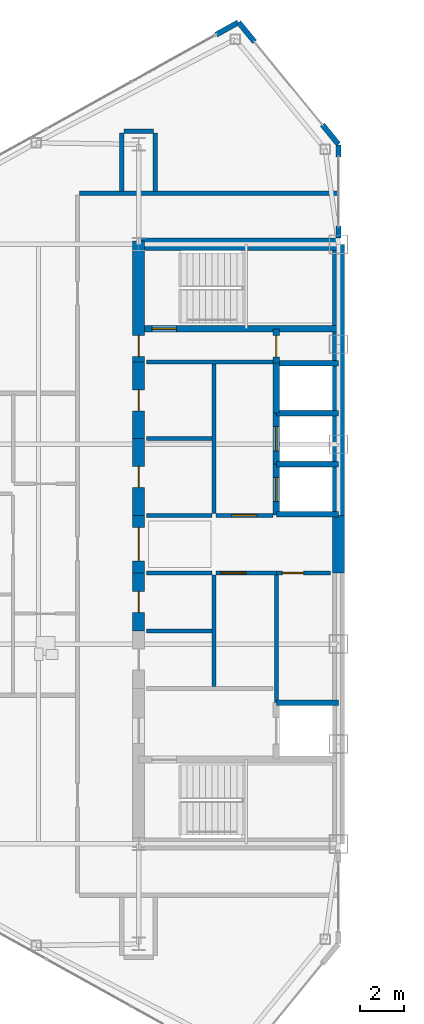
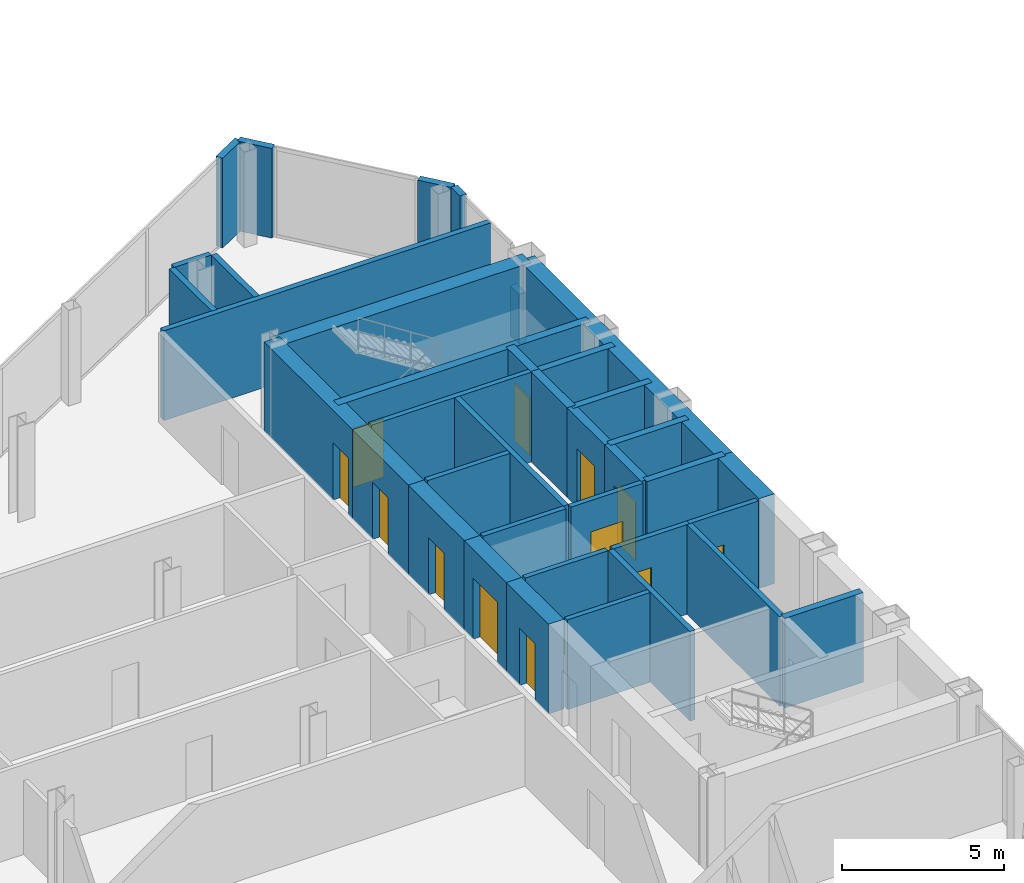
# One storey, part 20 of 26: 38 walls, 12 doors, 12 openings.
"""IFC4 building model written with IfcOpenShell, lengths in metres."""

from ifc_helpers import new_model, si_unit, direction, frame, frame_2d, origin, place, context, subcontext, project, spatial, rectangle, extrude, source, transform, mapped, material, layer, layer_set, type_object, type_shapes, element, fill, save


model = new_model("IFC4")

# Units and contexts
model_context = context("Model", 3, precision=1e-05, world=origin(), true_north=direction((0.0, 1.0)))
body_context = subcontext(model_context, "Body", "Model", "MODEL_VIEW")
ifc_project = project(units=[si_unit("LENGTHUNIT", "METRE"), si_unit("AREAUNIT", "SQUARE_METRE"), si_unit("VOLUMEUNIT", "CUBIC_METRE"), si_unit("PLANEANGLEUNIT", "RADIAN"), si_unit("MASSUNIT", "GRAM", prefix="KILO")], contexts=[model_context])

# Site, building, storey
site_placement = place(None, origin())
site = spatial("IfcSite", under=ifc_project, at=site_placement, CompositionType="ELEMENT")
building_placement = place(site_placement, origin())
building = spatial("IfcBuilding", under=site, at=building_placement, Name="Seokmaru Belvedere", CompositionType="ELEMENT")
storey_placement = place(building_placement, frame((0.0, 0.0, 192.300048828125)))
storey = spatial("IfcBuildingStorey", under=building, at=storey_placement, Name="L51", CompositionType="ELEMENT", Elevation=192.300048828125)

# Walls
ifc_material_1 = material(Name="Fire-Rated Gypsum Shaftwall")
ifc_layer_1 = layer(ifc_material_1, 0.179931640625)
ifc_layer_set_1 = layer_set([ifc_layer_1], Name="Fire-Rated Gypsum Shaftwall")
wall_type_1 = type_object("IfcWallType", Name="Core Service Fire Partition 180", PredefinedType="PARTITIONING", material=ifc_layer_set_1)
wall_1_placement = place(storey_placement, frame((-36.14990234375, 8.199951171875, 0.0), z_axis=(0.0, 0.0, 1.0), x_axis=(1.0, 0.0, 0.0)))
element("IfcWall", 1, at=wall_1_placement, inside=storey, type_object=wall_type_1, Name="L51 West Smokeproof Vestibule Partition", PredefinedType="PARTITIONING", context=body_context, shape_type="SweptSolid", body=[
    extrude(rectangle(XDim=5.699951171875, YDim=0.179931640625, at=frame_2d((2.85009765625, 0.0))), origin(), (0.0, 0.0, 1.0), 3.3798828125),
])
wall_2_placement = place(storey_placement, frame((-33.10009765625, -6.419921875, 0.0), z_axis=(0.0, 0.0, 1.0), x_axis=(0.0, 1.0, 0.0)))
element("IfcWall", 2, at=wall_2_placement, inside=storey, type_object=wall_type_1, Name="L51 West South Core Service Back Wall", PredefinedType="PARTITIONING", context=body_context, shape_type="SweptSolid", body=[
    extrude(rectangle(XDim=5.0400390625, YDim=0.179931640625, at=frame_2d((2.52001953125, 0.0))), origin(), (0.0, 0.0, 1.0), 3.3798828125),
])
wall_3_placement = place(storey_placement, frame((-33.10009765625, 1.3798828125, 0.0), z_axis=(0.0, 0.0, 1.0), x_axis=(0.0, 1.0, 0.0)))
element("IfcWall", 3, at=wall_3_placement, inside=storey, type_object=wall_type_1, Name="L51 West North Core Service Back Wall", PredefinedType="PARTITIONING", context=body_context, shape_type="SweptSolid", body=[
    extrude(rectangle(XDim=6.740234375, YDim=0.179931640625, at=frame_2d((3.3701171875, 0.0))), origin(), (0.0, 0.0, 1.0), 3.3798828125),
])

# Wall, opening, door
wall_4_placement = place(storey_placement, frame((-30.300048828125, -1.300048828125, 0.0), z_axis=(0.0, 0.0, 1.0), x_axis=(1.0, 0.0, 0.0)))
wall_4 = element("IfcWall", 4, at=wall_4_placement, inside=storey, type_object=wall_type_1, Name="L51 West South Parcel Vault Foyer Wall", PredefinedType="PARTITIONING", context=body_context, shape_type="SweptSolid", body=[
    extrude(rectangle(XDim=2.449951171875, YDim=0.179931640625, at=frame_2d((1.22509765625, 0.0))), origin(), (0.0, 0.0, 1.0), 3.3798828125),
])
opening_1_placement = place(wall_4_placement, frame((0.27490234375, 0.0, 0.0)))
opening_1 = element("IfcOpeningElement", 5, at=opening_1_placement, cuts=wall_4, Name="Opening D04", PredefinedType="OPENING", context=body_context, shape_type="SweptSolid", body=[
    extrude(rectangle(XDim=0.949951171875, YDim=2.14990234375, at=frame_2d((0.47509765625, 1.074951171875))), frame((0.0, 0.10009765625, 0.0), z_axis=(0.0, -1.0, 0.0), x_axis=(1.0, 0.0, 0.0)), (0.0, 0.0, 1.0), 0.199951171875),
])
ifc_material_2 = material(Name="Fire-Rated Steel Leaf", Category="steel")
door_type_1 = type_object("IfcDoorType", Name="Core Service Room Fire Door 950x2150", OperationType="NOTDEFINED", PredefinedType="DOOR", material=ifc_material_2)
shared_shape_1 = source(origin(), body_context, "Body", "SweptSolid", [
    extrude(rectangle(XDim=0.949951171875, YDim=2.14990234375, at=frame_2d((0.47509765625, 1.074951171875))), frame((0.0, 0.02490234375, 0.0), z_axis=(0.0, -1.0, 0.0), x_axis=(1.0, 0.0, 0.0)), (0.0, 0.0, 1.0), 0.050048828125),
])
type_shapes(door_type_1, [shared_shape_1])
door_1_placement = place(opening_1_placement, origin())
door_1 = element("IfcDoor", 6, at=door_1_placement, inside=storey, type_object=door_type_1, Name="L51 West South Parcel Vault Door", OperationType="SINGLE_SWING_LEFT", OverallHeight=2.14990234375, OverallWidth=0.949951171875, PredefinedType="DOOR", context=body_context, shape_type="MappedRepresentation", body=[
    mapped(shared_shape_1, transform((0.0, 0.0, 0.0), scale=1.0)),
])
fill(opening_1, door_1)

wall_5_placement = place(storey_placement, frame((-33.02001953125, -1.300048828125, 0.0), z_axis=(0.0, 0.0, 1.0), x_axis=(1.0, 0.0, 0.0)))
wall_5 = element("IfcWall", 7, at=wall_5_placement, inside=storey, type_object=wall_type_1, Name="L51 West South Wine Cellar Foyer Wall", PredefinedType="PARTITIONING", context=body_context, shape_type="SweptSolid", body=[
    extrude(rectangle(XDim=2.719970703125, YDim=0.179931640625, at=frame_2d((1.35986328125, 0.0))), origin(), (0.0, 0.0, 1.0), 3.3798828125),
])
opening_2_placement = place(wall_5_placement, frame((0.2099609375, 0.0, 0.0)))
opening_2 = element("IfcOpeningElement", 8, at=opening_2_placement, cuts=wall_5, Name="Opening D02", PredefinedType="OPENING", context=body_context, shape_type="SweptSolid", body=[
    extrude(rectangle(XDim=1.14990234375, YDim=2.199951171875, at=frame_2d((0.574951171875, 1.10009765625))), frame((0.0, 0.10009765625, 0.0), z_axis=(0.0, -1.0, 0.0), x_axis=(1.0, 0.0, 0.0)), (0.0, 0.0, 1.0), 0.199951171875),
])
door_type_2 = type_object("IfcDoorType", Name="Lobby and Vestibule Fire Door 1150x2200", OperationType="NOTDEFINED", PredefinedType="DOOR", material=ifc_material_2)
shared_shape_2 = source(origin(), body_context, "Body", "SweptSolid", [
    extrude(rectangle(XDim=1.14990234375, YDim=2.199951171875, at=frame_2d((0.574951171875, 1.10009765625))), frame((0.0, 0.02490234375, 0.0), z_axis=(0.0, -1.0, 0.0), x_axis=(1.0, 0.0, 0.0)), (0.0, 0.0, 1.0), 0.050048828125),
])
type_shapes(door_type_2, [shared_shape_2])
door_2_placement = place(opening_2_placement, origin())
door_2 = element("IfcDoor", 9, at=door_2_placement, inside=storey, type_object=door_type_2, Name="L51 West South Core Foyer Door", OperationType="SINGLE_SWING_LEFT", OverallHeight=2.199951171875, OverallWidth=1.14990234375, PredefinedType="DOOR", context=body_context, shape_type="MappedRepresentation", body=[
    mapped(shared_shape_2, transform((0.0, 0.0, 0.0), scale=1.0)),
])
fill(opening_2, door_2)

# Wall
wall_6_placement = place(storey_placement, frame((-30.300048828125, -7.1201171875, 0.0), z_axis=(0.0, 0.0, 1.0), x_axis=(0.0, 1.0, 0.0)))
element("IfcWall", 10, at=wall_6_placement, inside=storey, type_object=wall_type_1, Name="L51 West Freed Shaft Vault Partition", PredefinedType="PARTITIONING", context=body_context, shape_type="SweptSolid", body=[
    extrude(rectangle(XDim=5.740234375, YDim=0.179931640625, at=frame_2d((2.8701171875, 0.0))), origin(), (0.0, 0.0, 1.0), 3.3798828125),
])

# Wall, opening, door
wall_7_placement = place(storey_placement, frame((-33.02001953125, 1.300048828125, 0.0), z_axis=(0.0, 0.0, 1.0), x_axis=(1.0, 0.0, 0.0)))
wall_7 = element("IfcWall", 11, at=wall_7_placement, inside=storey, type_object=wall_type_1, Name="L51 West North Lift Lobby Foyer Wall", PredefinedType="PARTITIONING", context=body_context, shape_type="SweptSolid", body=[
    extrude(rectangle(XDim=2.570068359375, YDim=0.179931640625, at=frame_2d((1.28515625, 0.0))), origin(), (0.0, 0.0, 1.0), 3.3798828125),
])
opening_3_placement = place(wall_7_placement, frame((0.7099609375, 0.0, 0.0)))
opening_3 = element("IfcOpeningElement", 12, at=opening_3_placement, cuts=wall_7, Name="Opening D02", PredefinedType="OPENING", context=body_context, shape_type="SweptSolid", body=[
    extrude(rectangle(XDim=1.14990234375, YDim=2.199951171875, at=frame_2d((0.574951171875, 1.10009765625))), frame((0.0, 0.10009765625, 0.0), z_axis=(0.0, -1.0, 0.0), x_axis=(1.0, 0.0, 0.0)), (0.0, 0.0, 1.0), 0.199951171875),
])
door_3_placement = place(opening_3_placement, origin())
door_3 = element("IfcDoor", 13, at=door_3_placement, inside=storey, type_object=door_type_2, Name="L51 West North Lift Lobby Door", OperationType="SINGLE_SWING_RIGHT", OverallHeight=2.199951171875, OverallWidth=1.14990234375, PredefinedType="DOOR", context=body_context, shape_type="MappedRepresentation", body=[
    mapped(shared_shape_2, transform((0.0, 0.0, 0.0), scale=1.0)),
])
fill(opening_3, door_3)

# Walls
for number, where, z_axis, x_axis, name in (
    (14, (-36.14990234375, -1.300048828125, 0.0), (0.0, 0.0, 1.0), (1.0, 0.0, 0.0), "L51 West Foyer Side Wall S"),
    (15, (-36.14990234375, 1.300048828125, 0.0), (0.0, 0.0, 1.0), (1.0, 0.0, 0.0), "L51 West Foyer Side Wall N"),
    (16, (-36.14990234375, -3.89990234375, 0.0), (0.0, 0.0, 1.0), (1.0, 0.0, 0.0), "L51 West Core Service Partition 1"),
    (17, (-36.14990234375, 4.75, 0.0), (0.0, 0.0, 1.0), (1.0, 0.0, 0.0), "L51 West Core Service Partition 2"),
):
    element("IfcWall", number, at=place(storey_placement, frame(where, z_axis=z_axis, x_axis=x_axis)), inside=storey, type_object=wall_type_1, Name=name, PredefinedType="PARTITIONING", context=body_context, shape_type="SweptSolid", body=[
        extrude(rectangle(XDim=2.949951171875, YDim=0.179931640625, at=frame_2d((1.47509765625, 0.0))), origin(), (0.0, 0.0, 1.0), 3.3798828125),
    ])
ifc_material_3 = material(Name="Concrete C50 (50 MPa)", Category="concrete")
ifc_layer_2 = layer(ifc_material_3, 0.25)
ifc_layer_set_2 = layer_set([ifc_layer_2], Name="Concrete C50 (50 MPa)")
wall_type_2 = type_object("IfcWallType", Name="Hoistway Transverse Concrete Divider Wall 250", PredefinedType="SHEAR", material=ifc_layer_set_2)
for number, where, z_axis, x_axis, name in (
    (18, (-30.300048828125, -7.14990234375, 0.0), (0.0, 0.0, 1.0), (1.0, 0.0, 0.0), "L51 West Hoistway Divider Core Wall 1"),
    (19, (-30.300048828125, 1.35009765625, 0.0), (0.0, 0.0, 1.0), (1.0, 0.0, 0.0), "L51 West Hoistway Divider Core Wall 2"),
    (20, (-30.300048828125, 3.60009765625, 0.0), (0.0, 0.0, 1.0), (1.0, 0.0, 0.0), "L51 West Hoistway Divider Core Wall 3"),
    (21, (-30.300048828125, 5.89990234375, 0.0), (0.0, 0.0, 1.0), (1.0, 0.0, 0.0), "L51 West Hoistway Divider Core Wall 4"),
    (22, (-30.300048828125, 8.14990234375, 0.0), (0.0, 0.0, 1.0), (1.0, 0.0, 0.0), "L51 West Hoistway Divider Core Wall 5"),
):
    element("IfcWall", number, at=place(storey_placement, frame(where, z_axis=z_axis, x_axis=x_axis)), inside=storey, type_object=wall_type_2, Name=name, PredefinedType="SHEAR", context=body_context, shape_type="SweptSolid", body=[
        extrude(rectangle(XDim=2.800048828125, YDim=0.25, at=frame_2d((1.39990234375, 0.0))), origin(), (0.0, 0.0, 1.0), 3.3798828125),
    ])
ifc_layer_3 = layer(ifc_material_1, 0.199951171875)
ifc_layer_set_3 = layer_set([ifc_layer_3], Name="Fire-Rated Gypsum Shaftwall")
wall_type_3 = type_object("IfcWallType", Name="Inter-Tenancy Fire Compartment Partition 200", PredefinedType="PARTITIONING", material=ifc_layer_set_3)
wall_8_placement = place(storey_placement, frame((-39.1650390625, 15.800048828125, 0.0), z_axis=(0.0, 0.0, 1.0), x_axis=(1.0, 0.0, 0.0)))
element("IfcWall", 23, at=wall_8_placement, inside=storey, type_object=wall_type_3, Name="L51 Interior Partition 017", PredefinedType="PARTITIONING", context=body_context, shape_type="SweptSolid", body=[
    extrude(rectangle(XDim=11.6650390625, YDim=0.199951171875, at=frame_2d((5.83251953125, 0.0))), origin(), (0.0, 0.0, 1.0), 3.3798828125),
])
wall_9_placement = place(storey_placement, frame((-37.1650390625, 18.60009765625, 0.0), z_axis=(0.0, 0.0, 1.0), x_axis=(1.0, 0.0, 0.0)))
element("IfcWall", 24, at=wall_9_placement, inside=storey, type_object=wall_type_3, Name="L51 Interior Partition 019", PredefinedType="PARTITIONING", context=body_context, shape_type="SweptSolid", body=[
    extrude(rectangle(XDim=1.330078125, YDim=0.199951171875, at=frame_2d((0.6650390625, 0.0))), origin(), (0.0, 0.0, 1.0), 3.3798828125),
])
for number, where, z_axis, x_axis, name in (
    (25, (-37.25, 15.885009765625, 0.0), (0.0, 0.0, 1.0), (0.0, 1.0, 0.0), "L51 Interior Partition 027"),
    (26, (-35.75, 15.885009765625, 0.0), (0.0, 0.0, 1.0), (0.0, 1.0, 0.0), "L51 Interior Partition 029"),
):
    element("IfcWall", number, at=place(storey_placement, frame(where, z_axis=z_axis, x_axis=x_axis)), inside=storey, type_object=wall_type_3, Name=name, PredefinedType="PARTITIONING", context=body_context, shape_type="SweptSolid", body=[
        extrude(rectangle(XDim=2.6298828125, YDim=0.199951171875, at=frame_2d((1.31494140625, 0.0))), origin(), (0.0, 0.0, 1.0), 3.3798828125),
    ])

# Wall, opening, door
ifc_layer_4 = layer(ifc_material_3, 0.300048828125)
ifc_layer_set_4 = layer_set([ifc_layer_4], Name="Concrete C50 (50 MPa)")
wall_type_4 = type_object("IfcWallType", Name="Internal Core Stair and Hoistway Wall 300", PredefinedType="SHEAR", material=ifc_layer_set_4)
wall_10_placement = place(storey_placement, frame((-36.5, 9.699951171875, 0.0), z_axis=(0.0, 0.0, 1.0), x_axis=(1.0, 0.0, 0.0)))
wall_10 = element("IfcWall", 27, at=wall_10_placement, inside=storey, type_object=wall_type_4, Name="L51 West Stair ST-2 Enclosure Wall", PredefinedType="SHEAR", context=body_context, shape_type="SweptSolid", body=[
    extrude(rectangle(XDim=9.0, YDim=0.300048828125, at=frame_2d((4.5, 0.0))), origin(), (0.0, 0.0, 1.0), 3.3798828125),
])
opening_4_placement = place(wall_10_placement, frame((0.60009765625, 0.0, 0.0)))
opening_4 = element("IfcOpeningElement", 28, at=opening_4_placement, cuts=wall_10, Name="Opening D01", PredefinedType="OPENING", context=body_context, shape_type="SweptSolid", body=[
    extrude(rectangle(XDim=1.10009765625, YDim=2.199951171875, at=frame_2d((0.550048828125, 1.10009765625))), frame((0.0, 0.16015625, 0.0), z_axis=(0.0, -1.0, 0.0), x_axis=(1.0, 0.0, 0.0)), (0.0, 0.0, 1.0), 0.320068359375),
])
door_type_3 = type_object("IfcDoorType", Name="Special Escape Stair Smokeproof Fire Door 1100x2200", OperationType="NOTDEFINED", PredefinedType="DOOR", material=ifc_material_2)
shared_shape_3 = source(origin(), body_context, "Body", "SweptSolid", [
    extrude(rectangle(XDim=1.10009765625, YDim=2.199951171875, at=frame_2d((0.550048828125, 1.10009765625))), frame((0.0, 0.02490234375, 0.0), z_axis=(0.0, -1.0, 0.0), x_axis=(1.0, 0.0, 0.0)), (0.0, 0.0, 1.0), 0.050048828125),
])
type_shapes(door_type_3, [shared_shape_3])
door_4_placement = place(opening_4_placement, origin())
door_4 = element("IfcDoor", 29, at=door_4_placement, inside=storey, type_object=door_type_3, Name="L51 West Special Escape Stair ST-2 Door", OperationType="SINGLE_SWING_RIGHT", OverallHeight=2.199951171875, OverallWidth=1.10009765625, PredefinedType="DOOR", context=body_context, shape_type="MappedRepresentation", body=[
    mapped(shared_shape_3, transform((0.0, 0.0, 0.0), scale=1.0)),
])
fill(opening_4, door_4)

wall_11_placement = place(storey_placement, frame((-30.300048828125, 1.320068359375, 0.0), z_axis=(0.0, 0.0, 1.0), x_axis=(0.0, 1.0, 0.0)))
wall_11 = element("IfcWall", 30, at=wall_11_placement, inside=storey, type_object=wall_type_4, Name="L51 West North Hoistway Wall PH1", PredefinedType="SHEAR", context=body_context, shape_type="SweptSolid", body=[
    extrude(rectangle(XDim=2.280029296875, YDim=0.300048828125, at=frame_2d((1.14013671875, 0.0))), origin(), (0.0, 0.0, 1.0), 3.3798828125),
])
opening_5_placement = place(wall_11_placement, frame((0.590087890625, 0.0, 0.0)))
opening_5 = element("IfcOpeningElement", 31, at=opening_5_placement, cuts=wall_11, Name="Opening LD1", PredefinedType="OPENING", context=body_context, shape_type="SweptSolid", body=[
    extrude(rectangle(XDim=1.10009765625, YDim=2.199951171875, at=frame_2d((0.550048828125, 1.10009765625))), frame((0.0, 0.16015625, 0.0), z_axis=(0.0, -1.0, 0.0), x_axis=(1.0, 0.0, 0.0)), (0.0, 0.0, 1.0), 0.320068359375),
])
ifc_material_4 = material(Name="Stainless Steel 316", Category="steel")
door_type_4 = type_object("IfcDoorType", Name="Passenger Lift Sliding Landing Door 1100x2200", OperationType="DOUBLE_DOOR_SLIDING", PredefinedType="DOOR", material=ifc_material_4)
shared_shape_4 = source(origin(), body_context, "Body", "SweptSolid", [
    extrude(rectangle(XDim=1.10009765625, YDim=2.199951171875, at=frame_2d((0.550048828125, 1.10009765625))), frame((0.0, 0.02490234375, 0.0), z_axis=(0.0, -1.0, 0.0), x_axis=(1.0, 0.0, 0.0)), (0.0, 0.0, 1.0), 0.050048828125),
])
type_shapes(door_type_4, [shared_shape_4])
door_5_placement = place(opening_5_placement, origin())
door_5 = element("IfcDoor", 32, at=door_5_placement, inside=storey, type_object=door_type_4, Name="L51 West High-Rise Lift PH-1 Landing Door", OperationType="DOUBLE_DOOR_SLIDING", OverallHeight=2.199951171875, OverallWidth=1.10009765625, PredefinedType="DOOR", context=body_context, shape_type="MappedRepresentation", body=[
    mapped(shared_shape_4, transform((0.0, 0.0, 0.0), scale=1.0)),
])
fill(opening_5, door_5)

wall_12_placement = place(storey_placement, frame((-30.300048828125, 3.60009765625, 0.0), z_axis=(0.0, 0.0, 1.0), x_axis=(0.0, 1.0, 0.0)))
wall_12 = element("IfcWall", 33, at=wall_12_placement, inside=storey, type_object=wall_type_4, Name="L51 West North Hoistway Wall PH2", PredefinedType="SHEAR", context=body_context, shape_type="SweptSolid", body=[
    extrude(rectangle(XDim=2.2998046875, YDim=0.300048828125, at=frame_2d((1.14990234375, 0.0))), origin(), (0.0, 0.0, 1.0), 3.3798828125),
])
opening_6_placement = place(wall_12_placement, frame((0.60009765625, 0.0, 0.0)))
opening_6 = element("IfcOpeningElement", 34, at=opening_6_placement, cuts=wall_12, Name="Opening LD1", PredefinedType="OPENING", context=body_context, shape_type="SweptSolid", body=[
    extrude(rectangle(XDim=1.10009765625, YDim=2.199951171875, at=frame_2d((0.550048828125, 1.10009765625))), frame((0.0, 0.16015625, 0.0), z_axis=(0.0, -1.0, 0.0), x_axis=(1.0, 0.0, 0.0)), (0.0, 0.0, 1.0), 0.320068359375),
])
door_6_placement = place(opening_6_placement, origin())
door_6 = element("IfcDoor", 35, at=door_6_placement, inside=storey, type_object=door_type_4, Name="L51 West High-Rise Lift PH-2 Landing Door", OperationType="DOUBLE_DOOR_SLIDING", OverallHeight=2.199951171875, OverallWidth=1.10009765625, PredefinedType="DOOR", context=body_context, shape_type="MappedRepresentation", body=[
    mapped(shared_shape_4, transform((0.0, 0.0, 0.0), scale=1.0)),
])
fill(opening_6, door_6)

# Wall
wall_13_placement = place(storey_placement, frame((-30.300048828125, 5.89990234375, 0.0), z_axis=(0.0, 0.0, 1.0), x_axis=(0.0, 1.0, 0.0)))
element("IfcWall", 36, at=wall_13_placement, inside=storey, type_object=wall_type_4, Name="L51 West North Hoistway Wall OBS", PredefinedType="SHEAR", context=body_context, shape_type="SweptSolid", body=[
    extrude(rectangle(XDim=2.25, YDim=0.300048828125, at=frame_2d((1.125, 0.0))), origin(), (0.0, 0.0, 1.0), 3.3798828125),
])

# Wall, opening, door
wall_14_placement = place(storey_placement, frame((-30.300048828125, 8.14990234375, 0.0), z_axis=(0.0, 0.0, 1.0), x_axis=(0.0, 1.0, 0.0)))
wall_14 = element("IfcWall", 37, at=wall_14_placement, inside=storey, type_object=wall_type_4, Name="L51 West Electrical Riser Front Wall", PredefinedType="SHEAR", context=body_context, shape_type="SweptSolid", body=[
    extrude(rectangle(XDim=1.530029296875, YDim=0.300048828125, at=frame_2d((0.76513671875, 0.0))), origin(), (0.0, 0.0, 1.0), 3.3798828125),
])
opening_7_placement = place(wall_14_placement, frame((0.284912109375, 0.0, 0.0)))
opening_7 = element("IfcOpeningElement", 38, at=opening_7_placement, cuts=wall_14, Name="Opening D04", PredefinedType="OPENING", context=body_context, shape_type="SweptSolid", body=[
    extrude(rectangle(XDim=0.949951171875, YDim=2.14990234375, at=frame_2d((0.47509765625, 1.074951171875))), frame((0.0, 0.16015625, 0.0), z_axis=(0.0, -1.0, 0.0), x_axis=(1.0, 0.0, 0.0)), (0.0, 0.0, 1.0), 0.320068359375),
])
door_7_placement = place(opening_7_placement, origin())
door_7 = element("IfcDoor", 39, at=door_7_placement, inside=storey, type_object=door_type_1, Name="L51 West Electrical Riser Access Door", OperationType="SINGLE_SWING_LEFT", OverallHeight=2.14990234375, OverallWidth=0.949951171875, PredefinedType="DOOR", context=body_context, shape_type="MappedRepresentation", body=[
    mapped(shared_shape_1, transform((0.0, 0.0, 0.0), scale=1.0)),
])
fill(opening_7, door_7)

# Walls
ifc_layer_5 = layer(ifc_material_3, 0.550048828125)
ifc_layer_set_5 = layer_set([ifc_layer_5], Name="Concrete C50 (50 MPa)")
wall_type_5 = type_object("IfcWallType", Name="Mid-High Reinforced Concrete Core Wall 550", PredefinedType="SHEAR", material=ifc_layer_set_5)
wall_15_placement = place(storey_placement, frame((-27.5, 1.300048828125, 0.0), z_axis=(0.0, 0.0, 1.0), x_axis=(0.0, 1.0, 0.0)))
element("IfcWall", 40, at=wall_15_placement, inside=storey, type_object=wall_type_5, Name="L51 West Portal Spine Core Wall North", PredefinedType="SHEAR", context=body_context, shape_type="SweptSolid", body=[
    extrude(rectangle(XDim=12.199951171875, YDim=0.550048828125, at=frame_2d((6.10009765625, 0.0))), origin(), (0.0, 0.0, 1.0), 3.3798828125),
])
wall_16_placement = place(storey_placement, frame((-27.5, -1.300048828125, 0.0), z_axis=(0.0, 0.0, 1.0), x_axis=(0.0, 1.0, 0.0)))
element("IfcWall", 41, at=wall_16_placement, inside=storey, type_object=wall_type_5, Name="L51 West Portal Spine Core Wall Center", PredefinedType="SHEAR", context=body_context, shape_type="SweptSolid", body=[
    extrude(rectangle(XDim=2.60009765625, YDim=0.550048828125, at=frame_2d((1.300048828125, 0.0))), origin(), (0.0, 0.0, 1.0), 3.3798828125),
])
wall_17_placement = place(storey_placement, frame((-36.5, 13.5, 0.0), z_axis=(0.0, 0.0, 1.0), x_axis=(1.0, 0.0, 0.0)))
element("IfcWall", 42, at=wall_17_placement, inside=storey, type_object=wall_type_5, Name="L51 West North Core Wall", PredefinedType="SHEAR", context=body_context, shape_type="SweptSolid", body=[
    extrude(rectangle(XDim=9.0, YDim=0.550048828125, at=frame_2d((4.5, 0.0))), origin(), (0.0, 0.0, 1.0), 3.3798828125),
])

# Wall, opening, door
wall_18_placement = place(storey_placement, frame((-36.5, -1.300048828125, 0.0), z_axis=(0.0, 0.0, 1.0), x_axis=(0.0, 1.0, 0.0)))
wall_18 = element("IfcWall", 43, at=wall_18_placement, inside=storey, type_object=wall_type_5, Name="L51 West West Core Wall FOY", PredefinedType="SHEAR", context=body_context, shape_type="SweptSolid", body=[
    extrude(rectangle(XDim=2.60009765625, YDim=0.550048828125, at=frame_2d((1.300048828125, 0.0))), origin(), (0.0, 0.0, 1.0), 3.3798828125),
])
opening_8_placement = place(wall_18_placement, frame((0.550048828125, 0.0, 0.0)))
opening_8 = element("IfcOpeningElement", 44, at=opening_8_placement, cuts=wall_18, Name="Opening D08", PredefinedType="OPENING", context=body_context, shape_type="SweptSolid", body=[
    extrude(rectangle(XDim=1.5, YDim=2.300048828125, at=frame_2d((0.75, 1.14990234375))), frame((0.0, 0.28515625, 0.0), z_axis=(0.0, -1.0, 0.0), x_axis=(1.0, 0.0, 0.0)), (0.0, 0.0, 1.0), 0.570068359375),
])
door_type_5 = type_object("IfcDoorType", Name="Cross-Corridor Compartment Double Fire Door 1500x2300", OperationType="DOUBLE_SWING_LEFT", PredefinedType="DOOR", material=ifc_material_2)
shared_shape_5 = source(origin(), body_context, "Body", "SweptSolid", [
    extrude(rectangle(XDim=1.5, YDim=2.300048828125, at=frame_2d((0.75, 1.14990234375))), frame((0.0, 0.02490234375, 0.0), z_axis=(0.0, -1.0, 0.0), x_axis=(1.0, 0.0, 0.0)), (0.0, 0.0, 1.0), 0.050048828125),
])
type_shapes(door_type_5, [shared_shape_5])
door_8_placement = place(opening_8_placement, origin())
door_8 = element("IfcDoor", 45, at=door_8_placement, inside=storey, type_object=door_type_5, Name="L51 West Core Foyer Compartment Door", OperationType="DOUBLE_SWING_LEFT", OverallHeight=2.300048828125, OverallWidth=1.5, PredefinedType="DOOR", context=body_context, shape_type="MappedRepresentation", body=[
    mapped(shared_shape_5, transform((0.0, 0.0, 0.0), scale=1.0)),
])
fill(opening_8, door_8)

wall_19_placement = place(storey_placement, frame((-36.5, 8.199951171875, 0.0), z_axis=(0.0, 0.0, 1.0), x_axis=(0.0, 1.0, 0.0)))
wall_19 = element("IfcWall", 46, at=wall_19_placement, inside=storey, type_object=wall_type_5, Name="L51 West West Core Wall VST", PredefinedType="SHEAR", context=body_context, shape_type="SweptSolid", body=[
    extrude(rectangle(XDim=5.449951171875, YDim=0.550048828125, at=frame_2d((2.72509765625, 0.0))), origin(), (0.0, 0.0, 1.0), 3.3798828125),
])
opening_9_placement = place(wall_19_placement, frame((0.2451171875, 0.0, 0.0)))
opening_9 = element("IfcOpeningElement", 47, at=opening_9_placement, cuts=wall_19, Name="Opening D04", PredefinedType="OPENING", context=body_context, shape_type="SweptSolid", body=[
    extrude(rectangle(XDim=0.949951171875, YDim=2.14990234375, at=frame_2d((0.47509765625, 1.074951171875))), frame((0.0, 0.28515625, 0.0), z_axis=(0.0, -1.0, 0.0), x_axis=(1.0, 0.0, 0.0)), (0.0, 0.0, 1.0), 0.570068359375),
])
door_9_placement = place(opening_9_placement, frame((0.949951171875, 0.0, 0.0), z_axis=(0.0, 0.0, 1.0), x_axis=(-1.0, 0.0, 0.0)))
door_9 = element("IfcDoor", 48, at=door_9_placement, inside=storey, type_object=door_type_1, Name="L51 West Smokeproof Vestibule Door", OperationType="SINGLE_SWING_RIGHT", OverallHeight=2.14990234375, OverallWidth=0.949951171875, PredefinedType="DOOR", context=body_context, shape_type="MappedRepresentation", body=[
    mapped(shared_shape_1, transform((0.0, 0.0, 0.0), scale=1.0)),
])
fill(opening_9, door_9)

wall_20_placement = place(storey_placement, frame((-36.5, -3.89990234375, 0.0), z_axis=(0.0, 0.0, 1.0), x_axis=(0.0, 1.0, 0.0)))
wall_20 = element("IfcWall", 49, at=wall_20_placement, inside=storey, type_object=wall_type_5, Name="L51 West West Core Wall CS2", PredefinedType="SHEAR", context=body_context, shape_type="SweptSolid", body=[
    extrude(rectangle(XDim=2.599853515625, YDim=0.550048828125, at=frame_2d((1.2998046875, 0.0))), origin(), (0.0, 0.0, 1.0), 3.3798828125),
])
opening_10_placement = place(wall_20_placement, frame((0.824951171875, 0.0, 0.0)))
opening_10 = element("IfcOpeningElement", 50, at=opening_10_placement, cuts=wall_20, Name="Opening D04", PredefinedType="OPENING", context=body_context, shape_type="SweptSolid", body=[
    extrude(rectangle(XDim=0.949951171875, YDim=2.14990234375, at=frame_2d((0.47509765625, 1.074951171875))), frame((0.0, 0.28515625, 0.0), z_axis=(0.0, -1.0, 0.0), x_axis=(1.0, 0.0, 0.0)), (0.0, 0.0, 1.0), 0.570068359375),
])
door_10_placement = place(opening_10_placement, origin())
door_10 = element("IfcDoor", 51, at=door_10_placement, inside=storey, type_object=door_type_1, Name="L51 West Core Service Room Door 2", OperationType="SINGLE_SWING_RIGHT", OverallHeight=2.14990234375, OverallWidth=0.949951171875, PredefinedType="DOOR", context=body_context, shape_type="MappedRepresentation", body=[
    mapped(shared_shape_1, transform((0.0, 0.0, 0.0), scale=1.0)),
])
fill(opening_10, door_10)

wall_21_placement = place(storey_placement, frame((-36.5, 1.300048828125, 0.0), z_axis=(0.0, 0.0, 1.0), x_axis=(0.0, 1.0, 0.0)))
wall_21 = element("IfcWall", 52, at=wall_21_placement, inside=storey, type_object=wall_type_5, Name="L51 West West Core Wall CS3", PredefinedType="SHEAR", context=body_context, shape_type="SweptSolid", body=[
    extrude(rectangle(XDim=3.449951171875, YDim=0.550048828125, at=frame_2d((1.72509765625, 0.0))), origin(), (0.0, 0.0, 1.0), 3.3798828125),
])
opening_11_placement = place(wall_21_placement, frame((1.25, 0.0, 0.0)))
opening_11 = element("IfcOpeningElement", 53, at=opening_11_placement, cuts=wall_21, Name="Opening D04", PredefinedType="OPENING", context=body_context, shape_type="SweptSolid", body=[
    extrude(rectangle(XDim=0.949951171875, YDim=2.14990234375, at=frame_2d((0.47509765625, 1.074951171875))), frame((0.0, 0.28515625, 0.0), z_axis=(0.0, -1.0, 0.0), x_axis=(1.0, 0.0, 0.0)), (0.0, 0.0, 1.0), 0.570068359375),
])
door_11_placement = place(opening_11_placement, origin())
door_11 = element("IfcDoor", 54, at=door_11_placement, inside=storey, type_object=door_type_1, Name="L51 West Core Service Room Door 3", OperationType="SINGLE_SWING_LEFT", OverallHeight=2.14990234375, OverallWidth=0.949951171875, PredefinedType="DOOR", context=body_context, shape_type="MappedRepresentation", body=[
    mapped(shared_shape_1, transform((0.0, 0.0, 0.0), scale=1.0)),
])
fill(opening_11, door_11)

wall_22_placement = place(storey_placement, frame((-36.5, 4.75, 0.0), z_axis=(0.0, 0.0, 1.0), x_axis=(0.0, 1.0, 0.0)))
wall_22 = element("IfcWall", 55, at=wall_22_placement, inside=storey, type_object=wall_type_5, Name="L51 West West Core Wall CS4", PredefinedType="SHEAR", context=body_context, shape_type="SweptSolid", body=[
    extrude(rectangle(XDim=3.449951171875, YDim=0.550048828125, at=frame_2d((1.72509765625, 0.0))), origin(), (0.0, 0.0, 1.0), 3.3798828125),
])
opening_12_placement = place(wall_22_placement, frame((1.25, 0.0, 0.0)))
opening_12 = element("IfcOpeningElement", 56, at=opening_12_placement, cuts=wall_22, Name="Opening D04", PredefinedType="OPENING", context=body_context, shape_type="SweptSolid", body=[
    extrude(rectangle(XDim=0.949951171875, YDim=2.14990234375, at=frame_2d((0.47509765625, 1.074951171875))), frame((0.0, 0.28515625, 0.0), z_axis=(0.0, -1.0, 0.0), x_axis=(1.0, 0.0, 0.0)), (0.0, 0.0, 1.0), 0.570068359375),
])
door_12_placement = place(opening_12_placement, origin())
door_12 = element("IfcDoor", 57, at=door_12_placement, inside=storey, type_object=door_type_1, Name="L51 West Core Service Room Door 4", OperationType="SINGLE_SWING_RIGHT", OverallHeight=2.14990234375, OverallWidth=0.949951171875, PredefinedType="DOOR", context=body_context, shape_type="MappedRepresentation", body=[
    mapped(shared_shape_1, transform((0.0, 0.0, 0.0), scale=1.0)),
])
fill(opening_12, door_12)

# Walls
ifc_material_5 = material(Name="Anodised Bronze Aluminium", Category="aluminium")
ifc_layer_6 = layer(ifc_material_5, 0.239990234375)
ifc_layer_set_6 = layer_set([ifc_layer_6], Name="Anodised Bronze Aluminium")
wall_type_6 = type_object("IfcWallType", Name="Tower Corner Spandrel Closure Wall 240", PredefinedType="SOLIDWALL", material=ifc_layer_set_6)
wall_23_placement = place(storey_placement, frame((-27.5, 13.780029296875, 0.0), z_axis=(0.0, 0.0, 1.0), x_axis=(0.0, 1.0, 0.0)))
element("IfcWall", 58, at=wall_23_placement, inside=storey, type_object=wall_type_6, Name="L51 W Spine Closure Pier 2A", PredefinedType="SOLIDWALL", context=body_context, shape_type="SweptSolid", body=[
    extrude(rectangle(XDim=0.550048828125, YDim=0.239990234375, at=frame_2d((0.27490234375, 0.0))), origin(), (0.0, 0.0, 1.0), 1.8798828125),
])
wall_24_placement = place(storey_placement, frame((-27.5, 17.429931640625, 0.0), z_axis=(0.0, 0.0, 1.0), x_axis=(0.0, 1.0, 0.0)))
element("IfcWall", 59, at=wall_24_placement, inside=storey, type_object=wall_type_6, Name="L51 W Spine Closure Pier 2B", PredefinedType="SOLIDWALL", context=body_context, shape_type="SweptSolid", body=[
    extrude(rectangle(XDim=0.550048828125, YDim=0.239990234375, at=frame_2d((0.27490234375, 0.0))), origin(), (0.0, 0.0, 1.0), 3.3798828125),
])
for number, where, z_axis, x_axis, name in (
    (60, (-27.50634765625, 18.0078125, 0.0), (0.0, 0.0, 1.0), (-0.633249451965, 0.77394775766, 0.0), "L51 W Corner Closure Pier 2A"),
    (61, (-31.271728515625, 22.60986328125, 0.0), (0.0, 0.0, 1.0), (-0.633249451965, 0.77394775766, 0.0), "L51 W Corner Closure Pier 2B"),
):
    element("IfcWall", number, at=place(storey_placement, frame(where, z_axis=z_axis, x_axis=x_axis)), inside=storey, type_object=wall_type_6, Name=name, PredefinedType="SOLIDWALL", context=body_context, shape_type="SweptSolid", body=[
        extrude(rectangle(XDim=1.14013671875, YDim=0.239990234375, at=frame_2d((0.570068359375, 0.0))), origin(), (0.0, 0.0, 1.0), 3.3798828125),
    ])
wall_25_placement = place(storey_placement, frame((-32.0087890625, 23.4951171875, 0.0), z_axis=(0.0, 0.0, 1.0), x_axis=(-0.87385402111, -0.486188389196, 0.0)))
element("IfcWall", 62, at=wall_25_placement, inside=storey, type_object=wall_type_6, Name="L51 W Corner Closure Pier 3A", PredefinedType="SOLIDWALL", context=body_context, shape_type="SweptSolid", body=[
    extrude(rectangle(XDim=1.139892578125, YDim=0.239990234375, at=frame_2d((0.56982421875, 0.0))), origin(), (0.0, 0.0, 1.0), 3.3798828125),
])

save(model, "model.ifc")
